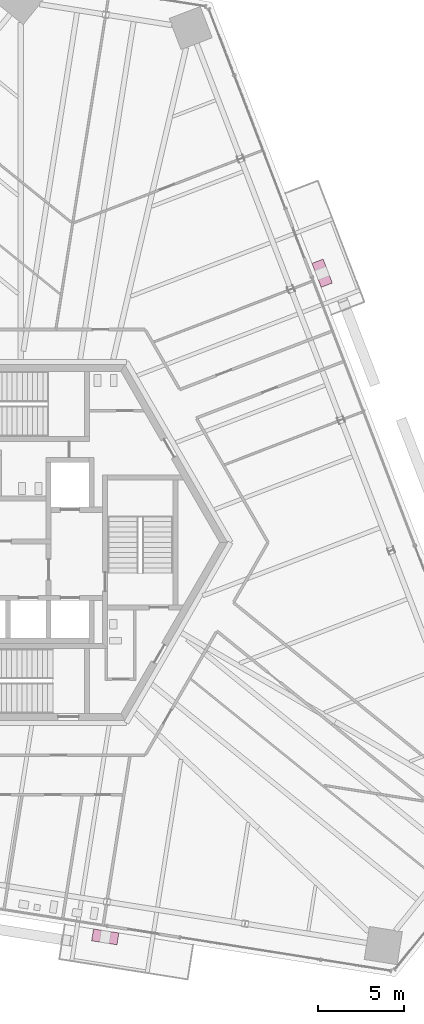
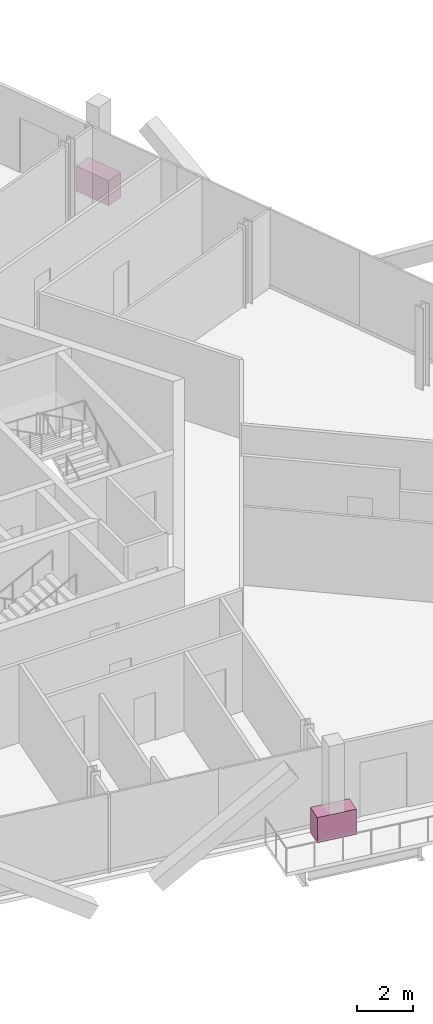
# One storey, part 17 of 18: 2 furniture elements.
"""IFC4 building model written with IfcOpenShell, lengths in metres."""

from ifc_helpers import new_model, si_unit, direction, frame, origin, origin_2d, place, context, subcontext, project, spatial, rectangle, extrude, source, transform, mapped, material, type_object, element, save


model = new_model("IFC4")

# Units and contexts
model_context = context("Model", 3, precision=1e-05, world=origin(), true_north=direction((0.0, 1.0)))
body_context = subcontext(model_context, "Body", "Model", "MODEL_VIEW")
ifc_project = project(units=[si_unit("LENGTHUNIT", "METRE"), si_unit("AREAUNIT", "SQUARE_METRE"), si_unit("VOLUMEUNIT", "CUBIC_METRE"), si_unit("PLANEANGLEUNIT", "RADIAN"), si_unit("MASSUNIT", "GRAM", prefix="KILO")], contexts=[model_context])

# Site, building, storey
site_placement = place(None, origin())
site = spatial("IfcSite", under=ifc_project, at=site_placement, CompositionType="ELEMENT")
building_placement = place(site_placement, origin())
building = spatial("IfcBuilding", under=site, at=building_placement, Name="Triune Harvest Tower", CompositionType="ELEMENT")
storey_placement = place(building_placement, frame((0.0, 0.0, 156.89990234375)))
storey = spatial("IfcBuildingStorey", under=building, at=storey_placement, Name="L40", CompositionType="ELEMENT", Elevation=156.89990234375)

# Furniture
ifc_material = material(Name="Concrete 40 MPa", Category="concrete")
furniture_type = type_object("IfcFurnitureType", Name="PB-1 structural planter", AssemblyPlace="SITE", PredefinedType="USERDEFINED", material=ifc_material)
shared_shape = source(origin(), body_context, "Body", "SweptSolid", [
    extrude(rectangle(XDim=1.5, YDim=0.699951171875, at=origin_2d()), origin(), (0.0, 0.0, 1.0), 1.10009765625),
])
for number, where, z_axis, x_axis, name in (
    (1, (17.528076171875, 15.72900390625, 0.0), (0.0, 0.0, 1.0), (-0.35836927228, 0.933579918746, 0.0), "Planter B4-F1 L40.9a"),
    (2, (4.857666015625, -23.044189453125, 0.0), (0.0, 0.0, 1.0), (0.987688259912, -0.156434974453, 0.0), "Planter B4-F5 L40.9a"),
):
    element("IfcFurniture", number, at=place(storey_placement, frame(where, z_axis=z_axis, x_axis=x_axis)), inside=storey, type_object=furniture_type, Name=name, ObjectType="PLANTER", PredefinedType="USERDEFINED", context=body_context, shape_type="MappedRepresentation", body=[
        mapped(shared_shape, transform((0.0, 0.0, 0.0), scale=1.0)),
    ])

save(model, "model.ifc")
